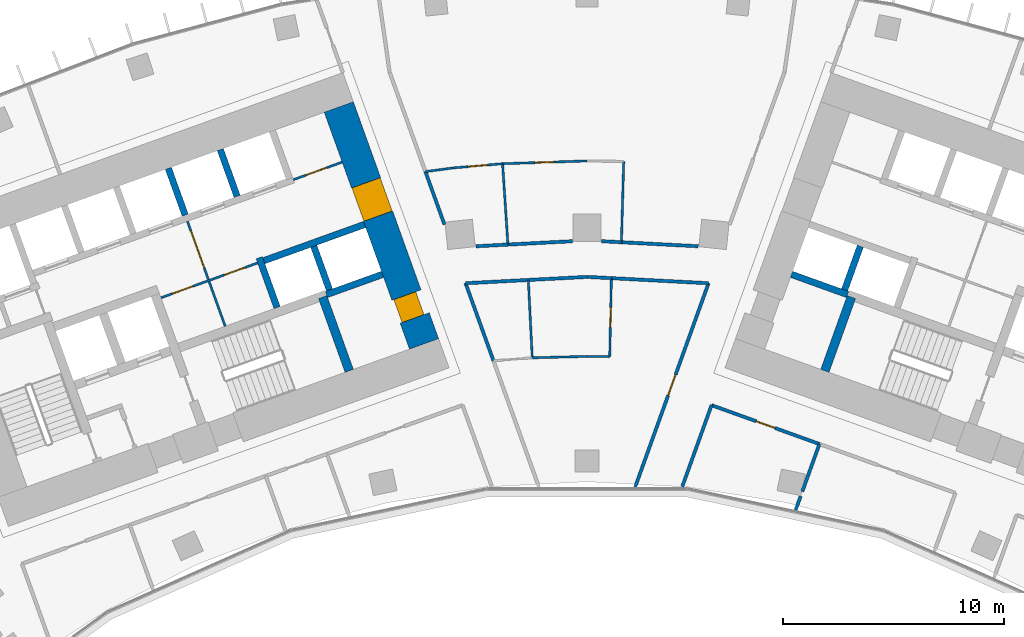
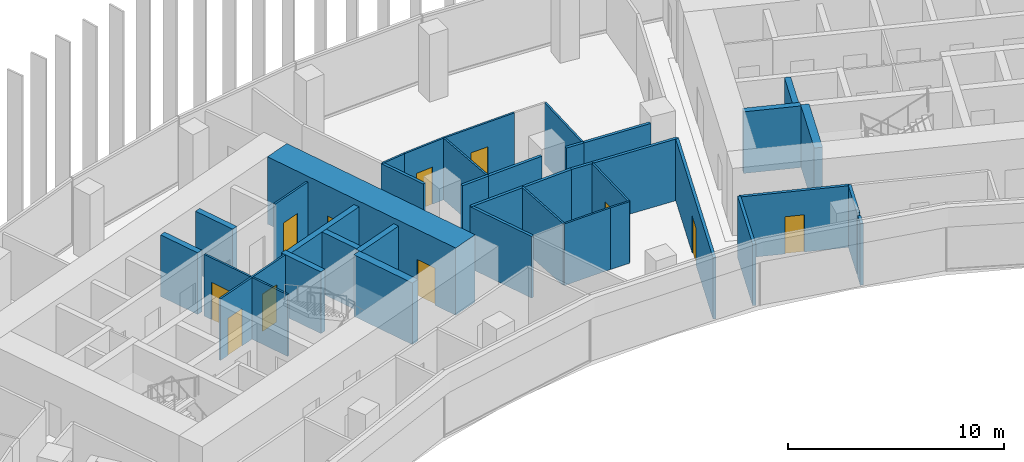
# One storey, part 17 of 23: 38 walls, 11 doors, 11 openings.
"""IFC4 building model written with IfcOpenShell, lengths in metres."""

from ifc_helpers import new_model, si_unit, direction, frame, frame_2d, origin, place, context, subcontext, project, spatial, rectangle, extrude, material, layer, layer_set, type_object, element, fill, save


model = new_model("IFC4")

# Units and contexts
model_context = context("Model", 3, precision=1e-05, world=origin(), true_north=direction((0.0, 1.0)))
body_context = subcontext(model_context, "Body", "Model", "MODEL_VIEW")
ifc_project = project(units=[si_unit("LENGTHUNIT", "METRE"), si_unit("AREAUNIT", "SQUARE_METRE"), si_unit("VOLUMEUNIT", "CUBIC_METRE"), si_unit("PLANEANGLEUNIT", "RADIAN"), si_unit("MASSUNIT", "GRAM", prefix="KILO")], contexts=[model_context])

# Site, building, storey
site_placement = place(None, origin())
site = spatial("IfcSite", under=ifc_project, at=site_placement, CompositionType="ELEMENT")
building_placement = place(site_placement, origin())
building = spatial("IfcBuilding", under=site, at=building_placement, Name="Stone Belt Terrace Tower", CompositionType="ELEMENT")
storey_placement = place(building_placement, frame((0.0, 0.0, 166.800048828125)))
storey = spatial("IfcBuildingStorey", under=building, at=storey_placement, Name="L40", CompositionType="ELEMENT", Elevation=166.800048828125)

# Wall, openings, doors
ifc_material_1 = material(Name="Plasterboard partition")
ifc_layer_1 = layer(ifc_material_1, 0.10009765625)
ifc_layer_set_1 = layer_set([ifc_layer_1], Name="Core partition 100")
wall_type_1 = type_object("IfcWallType", Name="Core partition 100", PredefinedType="PARTITIONING", material=ifc_layer_set_1)
wall_1_placement = place(storey_placement, frame((-19.29052734375, 51.829833984375, 0.0), z_axis=(0.0, 0.0, 1.0), x_axis=(0.940930240745, 0.338600475563, 0.0)))
wall_1 = element("IfcWall", 1, at=wall_1_placement, inside=storey, type_object=wall_type_1, Name="Core A wall", PredefinedType="PARTITIONING", context=body_context, shape_type="SweptSolid", body=[
    extrude(rectangle(XDim=4.64990234375, YDim=0.10009765625, at=frame_2d((2.324951171875, 0.0))), origin(), (0.0, 0.0, 1.0), 3.47998046875),
])
opening_1_placement = place(wall_1_placement, frame((0.550048828125, 0.0, 0.0)))
opening_1 = element("IfcOpeningElement", 2, at=opening_1_placement, cuts=wall_1, Name="Opening L40-C02", PredefinedType="OPENING", context=body_context, shape_type="SweptSolid", body=[
    extrude(rectangle(XDim=1.0, YDim=2.10009765625, at=frame_2d((0.5, 1.050048828125))), frame((0.0, 0.06005859375, 0.0), z_axis=(0.0, -1.0, 0.0), x_axis=(1.0, 0.0, 0.0)), (0.0, 0.0, 1.0), 0.1201171875),
])
opening_2_placement = place(wall_1_placement, frame((3.050048828125, 0.0, 0.0)))
opening_2 = element("IfcOpeningElement", 3, at=opening_2_placement, cuts=wall_1, Name="Opening L40-C03", PredefinedType="OPENING", context=body_context, shape_type="SweptSolid", body=[
    extrude(rectangle(XDim=1.0, YDim=2.10009765625, at=frame_2d((0.5, 1.050048828125))), frame((0.0, 0.06005859375, 0.0), z_axis=(0.0, -1.0, 0.0), x_axis=(1.0, 0.0, 0.0)), (0.0, 0.0, 1.0), 0.1201171875),
])
ifc_material_2 = material(Name="Timber door leaf", Category="wood")
door_type_1 = type_object("IfcDoorType", Name="Core room door 1000", OperationType="SINGLE_SWING_LEFT", PredefinedType="DOOR", material=ifc_material_2)
door_1_placement = place(opening_1_placement, origin())
door_1 = element("IfcDoor", 4, at=door_1_placement, inside=storey, type_object=door_type_1, Name="Door to Meeting store core A", OperationType="SINGLE_SWING_LEFT", OverallHeight=2.10009765625, OverallWidth=1.0, PredefinedType="DOOR", context=body_context, shape_type="SweptSolid", body=[
    extrude(rectangle(XDim=1.0, YDim=2.10009765625, at=frame_2d((0.5, 1.050048828125))), frame((0.0, 0.02490234375, 0.0), z_axis=(0.0, -1.0, 0.0), x_axis=(1.0, 0.0, 0.0)), (0.0, 0.0, 1.0), 0.050048828125),
])
fill(opening_1, door_1)
door_2_placement = place(opening_2_placement, origin())
door_2 = element("IfcDoor", 5, at=door_2_placement, inside=storey, type_object=door_type_1, Name="Door to Staff pantry core A", OperationType="SINGLE_SWING_RIGHT", OverallHeight=2.10009765625, OverallWidth=1.0, PredefinedType="DOOR", context=body_context, shape_type="SweptSolid", body=[
    extrude(rectangle(XDim=1.0, YDim=2.10009765625, at=frame_2d((0.5, 1.050048828125))), frame((0.0, 0.02490234375, 0.0), z_axis=(0.0, -1.0, 0.0), x_axis=(1.0, 0.0, 0.0)), (0.0, 0.0, 1.0), 0.050048828125),
])
fill(opening_2, door_2)

# Wall, opening, door
wall_2_placement = place(storey_placement, frame((-16.38134765625, 50.53857421875, 0.0), z_axis=(0.0, 0.0, 1.0), x_axis=(-0.33860476744, 0.940928696271, 0.0)))
wall_2 = element("IfcWall", 6, at=wall_2_placement, inside=storey, type_object=wall_type_1, Name="Core A wall", PredefinedType="PARTITIONING", context=body_context, shape_type="SweptSolid", body=[
    extrude(rectangle(XDim=5.050048828125, YDim=0.10009765625, at=frame_2d((2.52490234375, 0.0))), origin(), (0.0, 0.0, 1.0), 3.47998046875),
])
opening_3_placement = place(wall_2_placement, frame((2.800048828125, 0.0, 0.0)))
opening_3 = element("IfcOpeningElement", 7, at=opening_3_placement, cuts=wall_2, Name="Opening L40-C06", PredefinedType="OPENING", context=body_context, shape_type="SweptSolid", body=[
    extrude(rectangle(XDim=1.800048828125, YDim=2.10009765625, at=frame_2d((0.89990234375, 1.050048828125))), frame((0.0, 0.06005859375, 0.0), z_axis=(0.0, -1.0, 0.0), x_axis=(1.0, 0.0, 0.0)), (0.0, 0.0, 1.0), 0.1201171875),
])
ifc_material_3 = material(Name="Glazed aluminium door leaf", Category="aluminium")
door_type_2 = type_object("IfcDoorType", Name="Lift lobby entrance door 1800", OperationType="DOUBLE_DOOR_SINGLE_SWING", PredefinedType="DOOR", material=ifc_material_3)
door_3_placement = place(opening_3_placement, origin())
door_3 = element("IfcDoor", 8, at=door_3_placement, inside=storey, type_object=door_type_2, Name="Lift lobby double door core A", OperationType="DOUBLE_DOOR_SINGLE_SWING", OverallHeight=2.10009765625, OverallWidth=1.800048828125, PredefinedType="DOOR", context=body_context, shape_type="SweptSolid", body=[
    extrude(rectangle(XDim=1.800048828125, YDim=2.10009765625, at=frame_2d((0.89990234375, 1.050048828125))), frame((0.0, 0.02490234375, 0.0), z_axis=(0.0, -1.0, 0.0), x_axis=(1.0, 0.0, 0.0)), (0.0, 0.0, 1.0), 0.050048828125),
])
fill(opening_3, door_3)

wall_3_placement = place(storey_placement, frame((-13.29638671875, 57.17529296875, 0.0), z_axis=(0.0, 0.0, 1.0), x_axis=(0.940904627055, 0.338671644496, 0.0)))
wall_3 = element("IfcWall", 9, at=wall_3_placement, inside=storey, type_object=wall_type_1, Name="Core A wall", PredefinedType="PARTITIONING", context=body_context, shape_type="SweptSolid", body=[
    extrude(rectangle(XDim=2.35009765625, YDim=0.10009765625, at=frame_2d((1.175048828125, 0.0))), origin(), (0.0, 0.0, 1.0), 3.47998046875),
])
opening_4_placement = place(wall_3_placement, frame((0.60009765625, 0.0, 0.0)))
opening_4 = element("IfcOpeningElement", 10, at=opening_4_placement, cuts=wall_3, Name="Opening L40-C01", PredefinedType="OPENING", context=body_context, shape_type="SweptSolid", body=[
    extrude(rectangle(XDim=1.0, YDim=2.10009765625, at=frame_2d((0.5, 1.050048828125))), frame((0.0, 0.06005859375, 0.0), z_axis=(0.0, -1.0, 0.0), x_axis=(1.0, 0.0, 0.0)), (0.0, 0.0, 1.0), 0.1201171875),
])
door_4_placement = place(opening_4_placement, origin())
door_4 = element("IfcDoor", 11, at=door_4_placement, inside=storey, type_object=door_type_1, Name="Door to IT equipment room core A", OperationType="SINGLE_SWING_LEFT", OverallHeight=2.10009765625, OverallWidth=1.0, PredefinedType="DOOR", context=body_context, shape_type="SweptSolid", body=[
    extrude(rectangle(XDim=1.0, YDim=2.10009765625, at=frame_2d((0.5, 1.050048828125))), frame((0.0, 0.02490234375, 0.0), z_axis=(0.0, -1.0, 0.0), x_axis=(1.0, 0.0, 0.0)), (0.0, 0.0, 1.0), 0.050048828125),
])
fill(opening_4, door_4)

# Wall, openings, doors
ifc_material_4 = material(Name="Concrete B80", Category="concrete")
ifc_layer_2 = layer(ifc_material_4, 1.39990234375)
ifc_layer_set_2 = layer_set([ifc_layer_2], Name="Core wall 1400 B80")
wall_type_2 = type_object("IfcWallType", Name="Core wall 1400 B80", PredefinedType="SHEAR", material=ifc_layer_set_2)
wall_4_placement = place(storey_placement, frame((-7.379150390625, 49.73974609375, 0.0), z_axis=(0.0, 0.0, 1.0), x_axis=(-0.338625431531, 0.940921259788, 0.0)))
wall_4 = element("IfcWall", 12, at=wall_4_placement, inside=storey, type_object=wall_type_2, Name="Core A wall end_b L40", PredefinedType="SHEAR", context=body_context, shape_type="SweptSolid", body=[
    extrude(rectangle(XDim=11.400146484375, YDim=1.39990234375, at=frame_2d((5.7001953125, 0.0))), origin(), (0.0, 0.0, 1.0), 3.800048828125),
])
opening_5_placement = place(wall_4_placement, frame((6.14990234375, 0.0, 0.0)))
opening_5 = element("IfcOpeningElement", 13, at=opening_5_placement, cuts=wall_4, Name="Opening L40-C07", PredefinedType="OPENING", context=body_context, shape_type="SweptSolid", body=[
    extrude(rectangle(XDim=1.60009765625, YDim=2.10009765625, at=frame_2d((0.800048828125, 1.050048828125))), frame((0.0, 0.7099609375, 0.0), z_axis=(0.0, -1.0, 0.0), x_axis=(1.0, 0.0, 0.0)), (0.0, 0.0, 1.0), 1.419921875),
])
opening_6_placement = place(wall_4_placement, frame((1.25, 0.0, 0.0)))
opening_6 = element("IfcOpeningElement", 14, at=opening_6_placement, cuts=wall_4, Name="Opening L40-C13", PredefinedType="OPENING", context=body_context, shape_type="SweptSolid", body=[
    extrude(rectangle(XDim=1.10009765625, YDim=2.10009765625, at=frame_2d((0.550048828125, 1.050048828125))), frame((0.0, 0.7099609375, 0.0), z_axis=(0.0, -1.0, 0.0), x_axis=(1.0, 0.0, 0.0)), (0.0, 0.0, 1.0), 1.419921875),
])
door_type_3 = type_object("IfcDoorType", Name="Core room door 1100", OperationType="SINGLE_SWING_LEFT", PredefinedType="DOOR", material=ifc_material_2)
door_5_placement = place(opening_6_placement, origin())
door_5 = element("IfcDoor", 15, at=door_5_placement, inside=storey, type_object=door_type_3, Name="Door to Electrical riser room core A", OperationType="SINGLE_SWING_LEFT", OverallHeight=2.10009765625, OverallWidth=1.10009765625, PredefinedType="DOOR", context=body_context, shape_type="SweptSolid", body=[
    extrude(rectangle(XDim=1.10009765625, YDim=2.10009765625, at=frame_2d((0.550048828125, 1.050048828125))), frame((0.0, 0.60498046875, 0.0), z_axis=(0.0, -1.0, 0.0), x_axis=(1.0, 0.0, 0.0)), (0.0, 0.0, 1.0), 1.050048828125),
])
fill(opening_6, door_5)
door_type_4 = type_object("IfcDoorType", Name="Lift lobby entrance door 1600", OperationType="DOUBLE_DOOR_SINGLE_SWING", PredefinedType="DOOR", material=ifc_material_3)
door_6_placement = place(opening_5_placement, origin())
door_6 = element("IfcDoor", 16, at=door_6_placement, inside=storey, type_object=door_type_4, Name="Lift lobby entrance door core A", OperationType="DOUBLE_DOOR_SINGLE_SWING", OverallHeight=2.10009765625, OverallWidth=1.60009765625, PredefinedType="DOOR", context=body_context, shape_type="SweptSolid", body=[
    extrude(rectangle(XDim=1.60009765625, YDim=2.10009765625, at=frame_2d((0.800048828125, 1.050048828125))), frame((0.0, 0.68017578125, 0.0), z_axis=(0.0, -1.0, 0.0), x_axis=(1.0, 0.0, 0.0)), (0.0, 0.0, 1.0), 1.360107421875),
])
fill(opening_5, door_6)

# Walls
ifc_layer_3 = layer(ifc_material_4, 0.300048828125)
ifc_layer_set_3 = layer_set([ifc_layer_3], Name="Lift shaft wall 300")
wall_type_3 = type_object("IfcWallType", Name="Lift shaft wall 300", PredefinedType="SHEAR", material=ifc_layer_set_3)
wall_5_placement = place(storey_placement, frame((-18.193115234375, 55.572509765625, 0.0), z_axis=(0.0, 0.0, 1.0), x_axis=(-0.338535034312, 0.940953787677, 0.0)))
element("IfcWall", 17, at=wall_5_placement, inside=storey, type_object=wall_type_3, Name="Core A wall", PredefinedType="SHEAR", context=body_context, shape_type="SweptSolid", body=[
    extrude(rectangle(XDim=2.25, YDim=0.300048828125, at=frame_2d((1.125, 0.0))), origin(), (0.0, 0.0, 1.0), 3.47998046875),
])
wall_6_placement = place(storey_placement, frame((-14.029052734375, 51.38525390625, 0.0), z_axis=(0.0, 0.0, 1.0), x_axis=(-0.338661829791, 0.940908159728, 0.0)))
element("IfcWall", 18, at=wall_6_placement, inside=storey, type_object=wall_type_3, Name="Core A wall", PredefinedType="SHEAR", context=body_context, shape_type="SweptSolid", body=[
    extrude(rectangle(XDim=2.39990234375, YDim=0.300048828125, at=frame_2d((1.199951171875, 0.0))), origin(), (0.0, 0.0, 1.0), 3.47998046875),
])
wall_7_placement = place(storey_placement, frame((-14.6328125, 53.506103515625, 0.0), z_axis=(0.0, 0.0, 1.0), x_axis=(0.940931684323, 0.338596464007, 0.0)))
element("IfcWall", 19, at=wall_7_placement, inside=storey, type_object=wall_type_3, Name="Core A wall", PredefinedType="SHEAR", context=body_context, shape_type="SweptSolid", body=[
    extrude(rectangle(XDim=4.849609375, YDim=0.300048828125, at=frame_2d((2.4248046875, 0.0))), origin(), (0.0, 0.0, 1.0), 3.47998046875),
])
wall_8_placement = place(storey_placement, frame((-15.8408203125, 56.419189453125, 0.0), z_axis=(0.0, 0.0, 1.0), x_axis=(-0.338569601369, 0.940941350472, 0.0)))
element("IfcWall", 20, at=wall_8_placement, inside=storey, type_object=wall_type_3, Name="Core A wall", PredefinedType="SHEAR", context=body_context, shape_type="SweptSolid", body=[
    extrude(rectangle(XDim=2.249755859375, YDim=0.300048828125, at=frame_2d((1.125, 0.0))), origin(), (0.0, 0.0, 1.0), 3.47998046875),
])
wall_9_placement = place(storey_placement, frame((-11.797119140625, 51.975830078125, 0.0), z_axis=(0.0, 0.0, 1.0), x_axis=(0.940910465161, 0.33865542451, 0.0)))
element("IfcWall", 21, at=wall_9_placement, inside=storey, type_object=wall_type_3, Name="Core A wall", PredefinedType="SHEAR", context=body_context, shape_type="SweptSolid", body=[
    extrude(rectangle(XDim=2.69970703125, YDim=0.300048828125, at=frame_2d((1.349853515625, 0.0))), origin(), (0.0, 0.0, 1.0), 3.47998046875),
])
wall_10_placement = place(storey_placement, frame((-11.659912109375, 52.184814453125, 0.0), z_axis=(0.0, 0.0, 1.0), x_axis=(-0.338670064856, 0.940905195634, 0.0)))
element("IfcWall", 22, at=wall_10_placement, inside=storey, type_object=wall_type_3, Name="Core A wall", PredefinedType="SHEAR", context=body_context, shape_type="SweptSolid", body=[
    extrude(rectangle(XDim=2.099853515625, YDim=0.300048828125, at=frame_2d((1.0498046875, 0.0))), origin(), (0.0, 0.0, 1.0), 3.47998046875),
])
wall_11_placement = place(storey_placement, frame((11.797119140625, 51.975830078125, 0.0), z_axis=(0.0, 0.0, 1.0), x_axis=(-0.940910465161, 0.33865542451, 0.0)))
element("IfcWall", 23, at=wall_11_placement, inside=storey, type_object=wall_type_3, Name="Core B wall", PredefinedType="SHEAR", context=body_context, shape_type="SweptSolid", body=[
    extrude(rectangle(XDim=2.69970703125, YDim=0.300048828125, at=frame_2d((1.349853515625, 0.0))), origin(), (0.0, 0.0, 1.0), 3.47998046875),
])
wall_12_placement = place(storey_placement, frame((11.659912109375, 52.184814453125, 0.0), z_axis=(0.0, 0.0, 1.0), x_axis=(0.338670064856, 0.940905195634, 0.0)))
element("IfcWall", 24, at=wall_12_placement, inside=storey, type_object=wall_type_3, Name="Core B wall", PredefinedType="SHEAR", context=body_context, shape_type="SweptSolid", body=[
    extrude(rectangle(XDim=2.099853515625, YDim=0.300048828125, at=frame_2d((1.0498046875, 0.0))), origin(), (0.0, 0.0, 1.0), 3.47998046875),
])
ifc_material_5 = material(Name="Gypsum board partition")
ifc_layer_4 = layer(ifc_material_5, 0.10009765625)
ifc_layer_set_4 = layer_set([ifc_layer_4], Name="PARTITION 100")
wall_type_4 = type_object("IfcWallType", Name="PARTITION 100", PredefinedType="PARTITIONING", material=ifc_layer_set_4)
wall_13_placement = place(storey_placement, frame((-2.48095703125, 49.112060546875, 0.0), z_axis=(0.0, 0.0, 1.0), x_axis=(0.999677862605, 0.025380524361, 0.0)))
element("IfcWall", 25, at=wall_13_placement, inside=storey, type_object=wall_type_4, Name="L40/wall/i092", PredefinedType="PARTITIONING", context=body_context, shape_type="SweptSolid", body=[
    extrude(rectangle(XDim=2.481689453125, YDim=0.10009765625, at=frame_2d((1.24072265625, 0.0))), origin(), (0.0, 0.0, 1.0), 3.47998046875),
])
wall_14_placement = place(storey_placement, frame((0.0, 49.175048828125, 0.0), z_axis=(0.0, 0.0, 1.0), x_axis=(0.999942797799, -0.010695846423, 0.0)))
element("IfcWall", 26, at=wall_14_placement, inside=storey, type_object=wall_type_4, Name="L40/wall/i093", PredefinedType="PARTITIONING", context=body_context, shape_type="SweptSolid", body=[
    extrude(rectangle(XDim=1.027099609375, YDim=0.10009765625, at=frame_2d((0.513671875, 0.0))), origin(), (0.0, 0.0, 1.0), 3.47998046875),
])

# Wall, opening, door
wall_15_placement = place(storey_placement, frame((1.027099609375, 49.1640625, 0.0), z_axis=(0.0, 0.0, 1.0), x_axis=(0.020815938119, 0.999783324886, 0.0)))
wall_15 = element("IfcWall", 27, at=wall_15_placement, inside=storey, type_object=wall_type_4, Name="L40/wall/i094", PredefinedType="PARTITIONING", context=body_context, shape_type="SweptSolid", body=[
    extrude(rectangle(XDim=3.5537109375, YDim=0.10009765625, at=frame_2d((1.77685546875, 0.0))), origin(), (0.0, 0.0, 1.0), 3.47998046875),
])
opening_7_placement = place(wall_15_placement, frame((1.326904296875, 0.0, 0.0)))
opening_7 = element("IfcOpeningElement", 28, at=opening_7_placement, cuts=wall_15, Name="Opening D-C2-29", PredefinedType="OPENING", context=body_context, shape_type="SweptSolid", body=[
    extrude(rectangle(XDim=0.89990234375, YDim=2.10009765625, at=frame_2d((0.449951171875, 1.050048828125))), frame((0.0, 0.06005859375, 0.0), z_axis=(0.0, -1.0, 0.0), x_axis=(1.0, 0.0, 0.0)), (0.0, 0.0, 1.0), 0.1201171875),
])
door_type_5 = type_object("IfcDoorType", Name="OFFICE DOOR 900 X 2100", OperationType="NOTDEFINED", PredefinedType="DOOR", material=ifc_material_2)
door_7_placement = place(opening_7_placement, origin())
door_7 = element("IfcDoor", 29, at=door_7_placement, inside=storey, type_object=door_type_5, Name="L40/door/i29", OperationType="SINGLE_SWING_RIGHT", OverallHeight=2.10009765625, OverallWidth=0.89990234375, PredefinedType="DOOR", context=body_context, shape_type="SweptSolid", body=[
    extrude(rectangle(XDim=0.89990234375, YDim=2.10009765625, at=frame_2d((0.449951171875, 1.050048828125))), frame((0.0, 0.02490234375, 0.0), z_axis=(0.0, -1.0, 0.0), x_axis=(1.0, 0.0, 0.0)), (0.0, 0.0, 1.0), 0.050048828125),
])
fill(opening_7, door_7)

# Wall
wall_16_placement = place(storey_placement, frame((-2.658935546875, 52.635986328125, 0.0), z_axis=(0.0, 0.0, 1.0), x_axis=(0.050441457474, -0.998727019444, 0.0)))
element("IfcWall", 30, at=wall_16_placement, inside=storey, type_object=wall_type_4, Name="L40/wall/i095", PredefinedType="PARTITIONING", context=body_context, shape_type="SweptSolid", body=[
    extrude(rectangle(XDim=3.5283203125, YDim=0.10009765625, at=frame_2d((1.76416015625, 0.0))), origin(), (0.0, 0.0, 1.0), 3.47998046875),
])

# Wall, opening, door
wall_17_placement = place(storey_placement, frame((-3.823974609375, 57.89892578125, 0.0), z_axis=(0.0, 0.0, 1.0), x_axis=(-0.996353770626, -0.085318015439, 0.0)))
wall_17 = element("IfcWall", 31, at=wall_17_placement, inside=storey, type_object=wall_type_4, Name="L40/wall/i096", PredefinedType="PARTITIONING", context=body_context, shape_type="SweptSolid", body=[
    extrude(rectangle(XDim=2.249267578125, YDim=0.10009765625, at=frame_2d((1.12451171875, 0.0))), origin(), (0.0, 0.0, 1.0), 3.47998046875),
])
opening_8_placement = place(wall_17_placement, frame((0.674560546875, 0.0, 0.0)))
opening_8 = element("IfcOpeningElement", 32, at=opening_8_placement, cuts=wall_17, Name="Opening D-C2-31", PredefinedType="OPENING", context=body_context, shape_type="SweptSolid", body=[
    extrude(rectangle(XDim=0.89990234375, YDim=2.10009765625, at=frame_2d((0.449951171875, 1.050048828125))), frame((0.0, 0.06005859375, 0.0), z_axis=(0.0, -1.0, 0.0), x_axis=(1.0, 0.0, 0.0)), (0.0, 0.0, 1.0), 0.1201171875),
])
door_8_placement = place(opening_8_placement, origin())
door_8 = element("IfcDoor", 33, at=door_8_placement, inside=storey, type_object=door_type_5, Name="L40/door/i31", OperationType="SINGLE_SWING_RIGHT", OverallHeight=2.10009765625, OverallWidth=0.89990234375, PredefinedType="DOOR", context=body_context, shape_type="SweptSolid", body=[
    extrude(rectangle(XDim=0.89990234375, YDim=2.10009765625, at=frame_2d((0.449951171875, 1.050048828125))), frame((0.0, 0.02490234375, 0.0), z_axis=(0.0, -1.0, 0.0), x_axis=(1.0, 0.0, 0.0)), (0.0, 0.0, 1.0), 0.050048828125),
])
fill(opening_8, door_8)

# Walls
wall_18_placement = place(storey_placement, frame((-6.06494140625, 57.70703125, 0.0), z_axis=(0.0, 0.0, 1.0), x_axis=(-0.991238017123, -0.132087824608, 0.0)))
element("IfcWall", 34, at=wall_18_placement, inside=storey, type_object=wall_type_4, Name="L40/wall/i097", PredefinedType="PARTITIONING", context=body_context, shape_type="SweptSolid", body=[
    extrude(rectangle(XDim=1.26416015625, YDim=0.10009765625, at=frame_2d((0.632080078125, 0.0))), origin(), (0.0, 0.0, 1.0), 3.47998046875),
])
wall_19_placement = place(storey_placement, frame((1.555908203125, 54.343994140625, 0.0), z_axis=(0.0, 0.0, 1.0), x_axis=(0.028428321324, 0.999595833598, 0.0)))
element("IfcWall", 35, at=wall_19_placement, inside=storey, type_object=wall_type_4, Name="L40/wall/i098", PredefinedType="PARTITIONING", context=body_context, shape_type="SweptSolid", body=[
    extrude(rectangle(XDim=3.658447265625, YDim=0.10009765625, at=frame_2d((1.8291015625, 0.0))), origin(), (0.0, 0.0, 1.0), 3.47998046875),
])

# Wall, opening, door
wall_20_placement = place(storey_placement, frame((0.0, 58.02490234375, 0.0), z_axis=(0.0, 0.0, 1.0), x_axis=(-0.999457791673, -0.032926018036, 0.0)))
wall_20 = element("IfcWall", 36, at=wall_20_placement, inside=storey, type_object=wall_type_4, Name="L40/wall/i100", PredefinedType="PARTITIONING", context=body_context, shape_type="SweptSolid", body=[
    extrude(rectangle(XDim=3.825927734375, YDim=0.10009765625, at=frame_2d((1.9130859375, 0.0))), origin(), (0.0, 0.0, 1.0), 3.47998046875),
])
opening_9_placement = place(wall_20_placement, frame((1.463134765625, 0.0, 0.0)))
opening_9 = element("IfcOpeningElement", 37, at=opening_9_placement, cuts=wall_20, Name="Opening D-C2-32", PredefinedType="OPENING", context=body_context, shape_type="SweptSolid", body=[
    extrude(rectangle(XDim=0.89990234375, YDim=2.10009765625, at=frame_2d((0.449951171875, 1.050048828125))), frame((0.0, 0.06005859375, 0.0), z_axis=(0.0, -1.0, 0.0), x_axis=(1.0, 0.0, 0.0)), (0.0, 0.0, 1.0), 0.1201171875),
])
door_9_placement = place(opening_9_placement, origin())
door_9 = element("IfcDoor", 38, at=door_9_placement, inside=storey, type_object=door_type_5, Name="L40/door/i32", OperationType="SINGLE_SWING_RIGHT", OverallHeight=2.10009765625, OverallWidth=0.89990234375, PredefinedType="DOOR", context=body_context, shape_type="SweptSolid", body=[
    extrude(rectangle(XDim=0.89990234375, YDim=2.10009765625, at=frame_2d((0.449951171875, 1.050048828125))), frame((0.0, 0.02490234375, 0.0), z_axis=(0.0, -1.0, 0.0), x_axis=(1.0, 0.0, 0.0)), (0.0, 0.0, 1.0), 0.050048828125),
])
fill(opening_9, door_9)

# Walls
wall_21_placement = place(storey_placement, frame((-3.823974609375, 57.89892578125, 0.0), z_axis=(0.0, 0.0, 1.0), x_axis=(0.065927328972, -0.997824427089, 0.0)))
element("IfcWall", 39, at=wall_21_placement, inside=storey, type_object=wall_type_4, Name="L40/wall/i101", PredefinedType="PARTITIONING", context=body_context, shape_type="SweptSolid", body=[
    extrude(rectangle(XDim=3.669921875, YDim=0.10009765625, at=frame_2d((1.8349609375, 0.0))), origin(), (0.0, 0.0, 1.0), 3.47998046875),
])
ifc_layer_5 = layer(ifc_material_5, 0.14990234375)
ifc_layer_set_5 = layer_set([ifc_layer_5], Name="PARTITION 150 EI 60")
wall_type_5 = type_object("IfcWallType", Name="PARTITION 150 EI 60", PredefinedType="PARTITIONING", material=ifc_layer_set_5)
wall_22_placement = place(storey_placement, frame((-5.5009765625, 52.492919921875, 0.0), z_axis=(0.0, 0.0, 1.0), x_axis=(0.338673288888, -0.940904035167, 0.0)))
element("IfcWall", 40, at=wall_22_placement, inside=storey, type_object=wall_type_5, Name="L40/wall/i010", PredefinedType="PARTITIONING", context=body_context, shape_type="SweptSolid", body=[
    extrude(rectangle(XDim=3.744140625, YDim=0.14990234375, at=frame_2d((1.8720703125, 0.0))), origin(), (0.0, 0.0, 1.0), 3.47998046875),
])
wall_23_placement = place(storey_placement, frame((-7.319091796875, 57.5458984375, 0.0), z_axis=(0.0, 0.0, 1.0), x_axis=(0.338411575899, -0.940998196224, 0.0)))
element("IfcWall", 41, at=wall_23_placement, inside=storey, type_object=wall_type_5, Name="L40/wall/i013", PredefinedType="PARTITIONING", context=body_context, shape_type="SweptSolid", body=[
    extrude(rectangle(XDim=2.555419921875, YDim=0.14990234375, at=frame_2d((1.27783203125, 0.0))), origin(), (0.0, 0.0, 1.0), 3.47998046875),
])
wall_24_placement = place(storey_placement, frame((5.638916015625, 46.971923828125, 0.0), z_axis=(0.0, 0.0, 1.0), x_axis=(-0.338569683937, -0.940941320763, 0.0)))
element("IfcWall", 42, at=wall_24_placement, inside=storey, type_object=wall_type_5, Name="L40/wall/i022", PredefinedType="PARTITIONING", context=body_context, shape_type="SweptSolid", body=[
    extrude(rectangle(XDim=3.9248046875, YDim=0.14990234375, at=frame_2d((1.96240234375, 0.0))), origin(), (0.0, 0.0, 1.0), 3.47998046875),
])

# Wall, opening, door
wall_25_placement = place(storey_placement, frame((2.178466796875, 43.26171875, 0.0), z_axis=(0.0, 0.0, 1.0), x_axis=(0.338654259988, 0.940910884299, 0.0)))
wall_25 = element("IfcWall", 43, at=wall_25_placement, inside=storey, type_object=wall_type_5, Name="L40/wall/i024", PredefinedType="PARTITIONING", context=body_context, shape_type="SweptSolid", body=[
    extrude(rectangle(XDim=9.81103515625, YDim=0.14990234375, at=frame_2d((4.905517578125, 0.0))), origin(), (0.0, 0.0, 1.0), 3.47998046875),
])
opening_10_placement = place(wall_25_placement, frame((4.405517578125, 0.0, 0.0)))
opening_10 = element("IfcOpeningElement", 44, at=opening_10_placement, cuts=wall_25, Name="Opening D-C2-27", PredefinedType="OPENING", context=body_context, shape_type="SweptSolid", body=[
    extrude(rectangle(XDim=1.0, YDim=2.10009765625, at=frame_2d((0.5, 1.050048828125))), frame((0.0, 0.0849609375, 0.0), z_axis=(0.0, -1.0, 0.0), x_axis=(1.0, 0.0, 0.0)), (0.0, 0.0, 1.0), 0.169921875),
])
ifc_material_6 = material(Name="Timber fire door leaf", Category="wood")
door_type_6 = type_object("IfcDoorType", Name="TENANCY ENTRANCE DOOR 1000 X 2100", OperationType="NOTDEFINED", PredefinedType="DOOR", material=ifc_material_6)
door_10_placement = place(opening_10_placement, origin())
door_10 = element("IfcDoor", 45, at=door_10_placement, inside=storey, type_object=door_type_6, Name="L40/door/i27", OperationType="SINGLE_SWING_LEFT", OverallHeight=2.10009765625, OverallWidth=1.0, PredefinedType="DOOR", context=body_context, shape_type="SweptSolid", body=[
    extrude(rectangle(XDim=1.0, YDim=2.10009765625, at=frame_2d((0.5, 1.050048828125))), frame((0.0, 0.02490234375, 0.0), z_axis=(0.0, -1.0, 0.0), x_axis=(1.0, 0.0, 0.0)), (0.0, 0.0, 1.0), 0.050048828125),
])
fill(opening_10, door_10)

wall_26_placement = place(storey_placement, frame((10.52587890625, 45.20703125, 0.0), z_axis=(0.0, 0.0, 1.0), x_axis=(-0.940925748953, 0.338612957455, 0.0)))
wall_26 = element("IfcWall", 46, at=wall_26_placement, inside=storey, type_object=wall_type_5, Name="L40/wall/i034", PredefinedType="PARTITIONING", context=body_context, shape_type="SweptSolid", body=[
    extrude(rectangle(XDim=5.19482421875, YDim=0.14990234375, at=frame_2d((2.597412109375, 0.0))), origin(), (0.0, 0.0, 1.0), 3.47998046875),
])
opening_11_placement = place(wall_26_placement, frame((2.1474609375, 0.0, 0.0)))
opening_11 = element("IfcOpeningElement", 47, at=opening_11_placement, cuts=wall_26, Name="Opening D-C2-07", PredefinedType="OPENING", context=body_context, shape_type="SweptSolid", body=[
    extrude(rectangle(XDim=0.89990234375, YDim=2.10009765625, at=frame_2d((0.449951171875, 1.050048828125))), frame((0.0, 0.0849609375, 0.0), z_axis=(0.0, -1.0, 0.0), x_axis=(1.0, 0.0, 0.0)), (0.0, 0.0, 1.0), 0.169921875),
])
door_11_placement = place(opening_11_placement, origin())
door_11 = element("IfcDoor", 48, at=door_11_placement, inside=storey, type_object=door_type_5, Name="L40/door/i07", OperationType="SINGLE_SWING_RIGHT", OverallHeight=2.10009765625, OverallWidth=0.89990234375, PredefinedType="DOOR", context=body_context, shape_type="SweptSolid", body=[
    extrude(rectangle(XDim=0.89990234375, YDim=2.10009765625, at=frame_2d((0.449951171875, 1.050048828125))), frame((0.0, 0.02490234375, 0.0), z_axis=(0.0, -1.0, 0.0), x_axis=(1.0, 0.0, 0.0)), (0.0, 0.0, 1.0), 0.050048828125),
])
fill(opening_11, door_11)

# Walls
wall_27_placement = place(storey_placement, frame((10.52001953125, 45.208984375, 0.0), z_axis=(0.0, 0.0, 1.0), x_axis=(-0.338685493229, -0.940899642191, 0.0)))
element("IfcWall", 49, at=wall_27_placement, inside=storey, type_object=wall_type_5, Name="L40/wall/i039", PredefinedType="PARTITIONING", context=body_context, shape_type="SweptSolid", body=[
    extrude(rectangle(XDim=2.2900390625, YDim=0.14990234375, at=frame_2d((1.14501953125, 0.0))), origin(), (0.0, 0.0, 1.0), 3.47998046875),
])
wall_28_placement = place(storey_placement, frame((9.667724609375, 42.841064453125, 0.0), z_axis=(0.0, 0.0, 1.0), x_axis=(-0.338798136605, -0.940859087554, 0.0)))
element("IfcWall", 50, at=wall_28_placement, inside=storey, type_object=wall_type_5, Name="L40/wall/i040", PredefinedType="PARTITIONING", context=body_context, shape_type="SweptSolid", body=[
    extrude(rectangle(XDim=0.659423828125, YDim=0.14990234375, at=frame_2d((0.32958984375, 0.0))), origin(), (0.0, 0.0, 1.0), 3.47998046875),
])
wall_29_placement = place(storey_placement, frame((5.4990234375, 52.487060546875, 0.0), z_axis=(0.0, 0.0, 1.0), x_axis=(-0.998627751692, 0.052369968019, 0.0)))
element("IfcWall", 51, at=wall_29_placement, inside=storey, type_object=wall_type_5, Name="L40/wall/i083", PredefinedType="PARTITIONING", context=body_context, shape_type="SweptSolid", body=[
    extrude(rectangle(XDim=4.41015625, YDim=0.14990234375, at=frame_2d((2.205078125, 0.0))), origin(), (0.0, 0.0, 1.0), 3.47998046875),
])
wall_30_placement = place(storey_placement, frame((-2.653076171875, 52.635986328125, 0.0), z_axis=(0.0, 0.0, 1.0), x_axis=(-0.998633639599, -0.052257572287, 0.0)))
element("IfcWall", 52, at=wall_30_placement, inside=storey, type_object=wall_type_5, Name="L40/wall/i084", PredefinedType="PARTITIONING", context=body_context, shape_type="SweptSolid", body=[
    extrude(rectangle(XDim=2.849853515625, YDim=0.14990234375, at=frame_2d((1.4248046875, 0.0))), origin(), (0.0, 0.0, 1.0), 3.47998046875),
])
wall_31_placement = place(storey_placement, frame((1.10693359375, 52.717041015625, 0.0), z_axis=(0.0, 0.0, 1.0), x_axis=(-0.998636626653, 0.05220045887, 0.0)))
element("IfcWall", 53, at=wall_31_placement, inside=storey, type_object=wall_type_5, Name="L40/wall/i085", PredefinedType="PARTITIONING", context=body_context, shape_type="SweptSolid", body=[
    extrude(rectangle(XDim=1.1083984375, YDim=0.14990234375, at=frame_2d((0.55419921875, 0.0))), origin(), (0.0, 0.0, 1.0), 3.47998046875),
])
wall_32_placement = place(storey_placement, frame((0.0, 52.77490234375, 0.0), z_axis=(0.0, 0.0, 1.0), x_axis=(-0.998625148349, -0.052419586845, 0.0)))
element("IfcWall", 54, at=wall_32_placement, inside=storey, type_object=wall_type_5, Name="L40/wall/i086", PredefinedType="PARTITIONING", context=body_context, shape_type="SweptSolid", body=[
    extrude(rectangle(XDim=2.668701171875, YDim=0.14990234375, at=frame_2d((1.33447265625, 0.0))), origin(), (0.0, 0.0, 1.0), 3.47998046875),
])
wall_33_placement = place(storey_placement, frame((1.550048828125, 54.343994140625, 0.0), z_axis=(0.0, 0.0, 1.0), x_axis=(0.998629019036, -0.052345795812, 0.0)))
element("IfcWall", 55, at=wall_33_placement, inside=storey, type_object=wall_type_5, Name="L40/wall/i087", PredefinedType="PARTITIONING", context=body_context, shape_type="SweptSolid", body=[
    extrude(rectangle(XDim=3.48876953125, YDim=0.14990234375, at=frame_2d((1.744384765625, 0.0))), origin(), (0.0, 0.0, 1.0), 3.47998046875),
])
wall_34_placement = place(storey_placement, frame((-5.033935546875, 54.161376953125, 0.0), z_axis=(0.0, 0.0, 1.0), x_axis=(0.998620599498, 0.052506173517, 0.0)))
element("IfcWall", 56, at=wall_34_placement, inside=storey, type_object=wall_type_5, Name="L40/wall/i088", PredefinedType="PARTITIONING", context=body_context, shape_type="SweptSolid", body=[
    extrude(rectangle(XDim=1.4599609375, YDim=0.14990234375, at=frame_2d((0.72998046875, 0.0))), origin(), (0.0, 0.0, 1.0), 3.47998046875),
])
wall_35_placement = place(storey_placement, frame((-3.587890625, 54.237060546875, 0.0), z_axis=(0.0, 0.0, 1.0), x_axis=(0.998632030304, 0.052288316579, 0.0)))
element("IfcWall", 57, at=wall_35_placement, inside=storey, type_object=wall_type_5, Name="L40/wall/i089", PredefinedType="PARTITIONING", context=body_context, shape_type="SweptSolid", body=[
    extrude(rectangle(XDim=2.936767578125, YDim=0.14990234375, at=frame_2d((1.46826171875, 0.0))), origin(), (0.0, 0.0, 1.0), 3.47998046875),
])
wall_36_placement = place(storey_placement, frame((0.655029296875, 54.390625, 0.0), z_axis=(0.0, 0.0, 1.0), x_axis=(0.998625245027, -0.052417745028, 0.0)))
element("IfcWall", 58, at=wall_36_placement, inside=storey, type_object=wall_type_5, Name="L40/wall/i090", PredefinedType="PARTITIONING", context=body_context, shape_type="SweptSolid", body=[
    extrude(rectangle(XDim=0.908203125, YDim=0.14990234375, at=frame_2d((0.4541015625, 0.0))), origin(), (0.0, 0.0, 1.0), 3.47998046875),
])
ifc_layer_6 = layer(ifc_material_4, 0.39990234375)
ifc_layer_set_6 = layer_set([ifc_layer_6], Name="Stair enclosure wall 400")
wall_type_6 = type_object("IfcWallType", Name="Stair enclosure wall 400", PredefinedType="SHEAR", material=ifc_layer_set_6)
for number, where, z_axis, x_axis, name in (
    (59, (-10.766357421875, 48.520751953125, 0.0), (0.0, 0.0, 1.0), (-0.338626928157, 0.94092072117, 0.0), "Core A wall"),
    (60, (10.766357421875, 48.520751953125, 0.0), (0.0, 0.0, 1.0), (0.338626928157, 0.94092072117, 0.0), "Core B wall"),
):
    element("IfcWall", number, at=place(storey_placement, frame(where, z_axis=z_axis, x_axis=x_axis)), inside=storey, type_object=wall_type_6, Name=name, PredefinedType="SHEAR", context=body_context, shape_type="SweptSolid", body=[
        extrude(rectangle(XDim=3.550048828125, YDim=0.39990234375, at=frame_2d((1.77490234375, 0.0))), origin(), (0.0, 0.0, 1.0), 3.47998046875),
    ])

save(model, "model.ifc")
